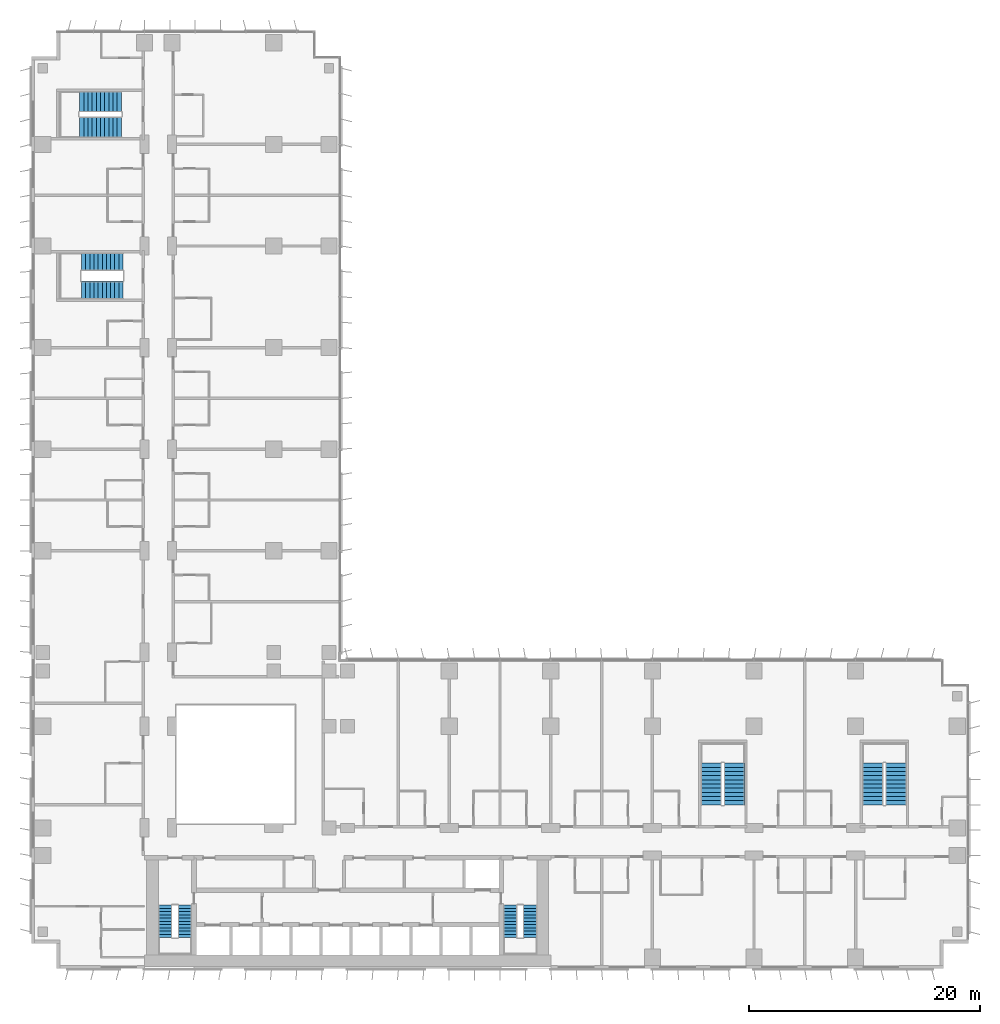
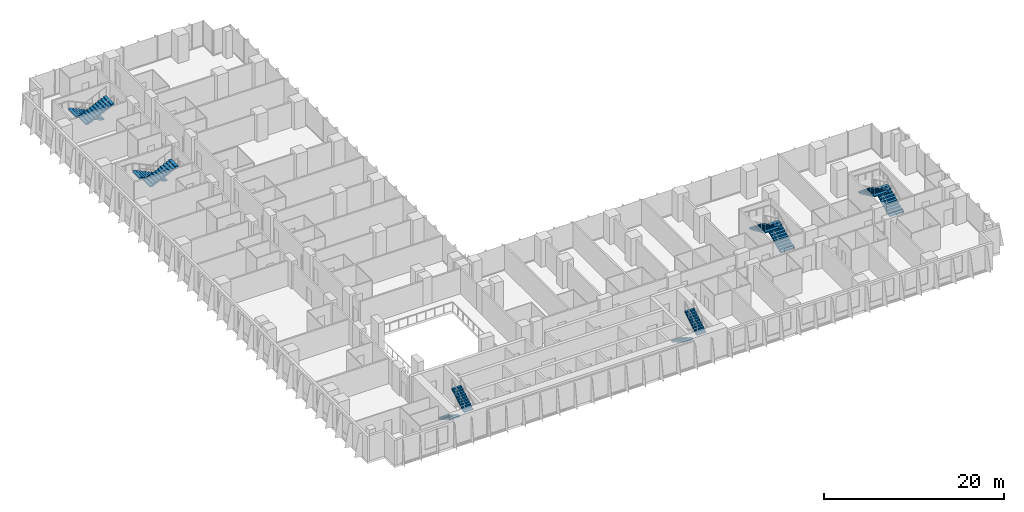
# One storey, part 20 of 24: 12 stair flights, 6 elements without a shape of their own.
"""IFC4 building model written with IfcOpenShell, lengths in metres."""

from ifc_helpers import new_model, si_unit, direction, frame, origin, place, context, subcontext, project, spatial, polyline, outline, extrude, material, type_object, element, aggregate, save


model = new_model("IFC4")

# Units and contexts
model_context = context("Model", 3, precision=1e-05, world=origin(), true_north=direction((0.0, 1.0)))
body_context = subcontext(model_context, "Body", "Model", "MODEL_VIEW")
ifc_project = project(units=[si_unit("LENGTHUNIT", "METRE"), si_unit("AREAUNIT", "SQUARE_METRE"), si_unit("VOLUMEUNIT", "CUBIC_METRE"), si_unit("PLANEANGLEUNIT", "RADIAN"), si_unit("MASSUNIT", "GRAM", prefix="KILO")], contexts=[model_context])

# Site, building, storey
site_placement = place(None, origin())
site = spatial("IfcSite", under=ifc_project, at=site_placement, CompositionType="ELEMENT")
building_placement = place(site_placement, origin())
building = spatial("IfcBuilding", under=site, at=building_placement, Name="Kemantara Hotel Tower", CompositionType="ELEMENT")
storey_placement = place(building_placement, frame((0.0, 0.0, 37.699951171875)))
storey = spatial("IfcBuildingStorey", under=building, at=storey_placement, Name="L07", CompositionType="ELEMENT", Elevation=37.699951171875)

# Stair, stair flights
ifc_material = material(Name="Concrete fc 40 MPa", Category="concrete")
stair_type_1 = type_object("IfcStairType", Name="Stair 1200 wide 22 risers of 168 x 280 mm", PredefinedType="HALF_TURN_STAIR", material=ifc_material)
stair_1_placement = place(storey_placement, origin())
stair_1 = element("IfcStair", 1, at=stair_1_placement, inside=storey, type_object=stair_type_1, Name="L07 Exit stair ST1", PredefinedType="HALF_TURN_STAIR")
stair_flight_type_1 = type_object("IfcStairFlightType", Name="Stair flight 1200 wide 168 x 280 mm", PredefinedType="STRAIGHT", material=ifc_material)
stair_flight_1_placement = place(storey_placement, frame((11.60009765625, 5.5, 0.0), z_axis=(0.0, 0.0, 1.0), x_axis=(0.0, -1.0, 0.0)))
stair_flight_1 = element("IfcStairFlight", 2, at=stair_flight_1_placement, type_object=stair_flight_type_1, Name="ST1 flight 1", NumberOfRisers=11, NumberOfTreads=10, PredefinedType="STRAIGHT", RiserHeight=0.168181818, TreadLength=0.28, context=body_context, shape_type="SweptSolid", body=[
    extrude(outline(polyline([(0.0, 0.0), (0.0, 0.168212890625), (0.280029296875, 0.168212890625), (0.280029296875, 0.33642578125), (0.56005859375, 0.33642578125), (0.56005859375, 0.504638671875), (0.840087890625, 0.504638671875), (0.840087890625, 0.672607421875), (1.1201171875, 0.672607421875), (1.1201171875, 0.8408203125), (1.39990234375, 0.8408203125), (1.39990234375, 1.009033203125), (1.679931640625, 1.009033203125), (1.679931640625, 1.17724609375), (1.9599609375, 1.17724609375), (1.9599609375, 1.345458984375), (2.239990234375, 1.345458984375), (2.239990234375, 1.513671875), (2.52001953125, 1.513671875), (2.52001953125, 1.681884765625), (2.800048828125, 1.681884765625), (2.800048828125, 1.85009765625), (2.800048828125, 1.5068359375), (0.291015625, 0.0), (0.0, 0.0)])), frame((0.0, 0.60009765625, 0.0), z_axis=(0.0, -1.0, 0.0), x_axis=(1.0, 0.0, 0.0)), (0.0, 0.0, 1.0), 1.199951171875),
])
stair_flight_2_placement = place(storey_placement, frame((13.300048828125, 2.699951171875, 1.85009765625), z_axis=(0.0, 0.0, 1.0), x_axis=(0.0, 1.0, 0.0)))
stair_flight_2 = element("IfcStairFlight", 3, at=stair_flight_2_placement, type_object=stair_flight_type_1, Name="ST1 flight 2", NumberOfRisers=11, NumberOfTreads=10, PredefinedType="STRAIGHT", RiserHeight=0.168181818, TreadLength=0.28, context=body_context, shape_type="SweptSolid", body=[
    extrude(outline(polyline([(0.0, 0.0), (0.0, 0.168212890625), (0.280029296875, 0.168212890625), (0.280029296875, 0.33642578125), (0.56005859375, 0.33642578125), (0.56005859375, 0.504638671875), (0.840087890625, 0.504638671875), (0.840087890625, 0.672607421875), (1.1201171875, 0.672607421875), (1.1201171875, 0.8408203125), (1.39990234375, 0.8408203125), (1.39990234375, 1.009033203125), (1.679931640625, 1.009033203125), (1.679931640625, 1.17724609375), (1.9599609375, 1.17724609375), (1.9599609375, 1.345458984375), (2.239990234375, 1.345458984375), (2.239990234375, 1.513671875), (2.52001953125, 1.513671875), (2.52001953125, 1.681884765625), (2.800048828125, 1.681884765625), (2.800048828125, 1.85009765625), (2.800048828125, 1.5068359375), (0.291015625, 0.0), (0.0, 0.0)])), frame((0.0, 0.60009765625, 0.0), z_axis=(0.0, -1.0, 0.0), x_axis=(1.0, 0.0, 0.0)), (0.0, 0.0, 1.0), 1.199951171875),
])
aggregate(stair_1, [stair_flight_1, stair_flight_2])

stair_2_placement = place(storey_placement, origin())
stair_2 = element("IfcStair", 4, at=stair_2_placement, inside=storey, type_object=stair_type_1, Name="L07 Exit stair ST2", PredefinedType="HALF_TURN_STAIR")
stair_flight_3_placement = place(storey_placement, frame((41.5, 5.5, 0.0), z_axis=(0.0, 0.0, 1.0), x_axis=(0.0, -1.0, 0.0)))
stair_flight_3 = element("IfcStairFlight", 5, at=stair_flight_3_placement, type_object=stair_flight_type_1, Name="ST2 flight 1", NumberOfRisers=11, NumberOfTreads=10, PredefinedType="STRAIGHT", RiserHeight=0.168181818, TreadLength=0.28, context=body_context, shape_type="SweptSolid", body=[
    extrude(outline(polyline([(0.0, 0.0), (0.0, 0.168212890625), (0.280029296875, 0.168212890625), (0.280029296875, 0.33642578125), (0.56005859375, 0.33642578125), (0.56005859375, 0.504638671875), (0.840087890625, 0.504638671875), (0.840087890625, 0.672607421875), (1.1201171875, 0.672607421875), (1.1201171875, 0.8408203125), (1.39990234375, 0.8408203125), (1.39990234375, 1.009033203125), (1.679931640625, 1.009033203125), (1.679931640625, 1.17724609375), (1.9599609375, 1.17724609375), (1.9599609375, 1.345458984375), (2.239990234375, 1.345458984375), (2.239990234375, 1.513671875), (2.52001953125, 1.513671875), (2.52001953125, 1.681884765625), (2.800048828125, 1.681884765625), (2.800048828125, 1.85009765625), (2.800048828125, 1.5068359375), (0.291015625, 0.0), (0.0, 0.0)])), frame((0.0, 0.60009765625, 0.0), z_axis=(0.0, -1.0, 0.0), x_axis=(1.0, 0.0, 0.0)), (0.0, 0.0, 1.0), 1.199951171875),
])
stair_flight_4_placement = place(storey_placement, frame((43.199951171875, 2.699951171875, 1.85009765625), z_axis=(0.0, 0.0, 1.0), x_axis=(0.0, 1.0, 0.0)))
stair_flight_4 = element("IfcStairFlight", 6, at=stair_flight_4_placement, type_object=stair_flight_type_1, Name="ST2 flight 2", NumberOfRisers=11, NumberOfTreads=10, PredefinedType="STRAIGHT", RiserHeight=0.168181818, TreadLength=0.28, context=body_context, shape_type="SweptSolid", body=[
    extrude(outline(polyline([(0.0, 0.0), (0.0, 0.168212890625), (0.280029296875, 0.168212890625), (0.280029296875, 0.33642578125), (0.56005859375, 0.33642578125), (0.56005859375, 0.504638671875), (0.840087890625, 0.504638671875), (0.840087890625, 0.672607421875), (1.1201171875, 0.672607421875), (1.1201171875, 0.8408203125), (1.39990234375, 0.8408203125), (1.39990234375, 1.009033203125), (1.679931640625, 1.009033203125), (1.679931640625, 1.17724609375), (1.9599609375, 1.17724609375), (1.9599609375, 1.345458984375), (2.239990234375, 1.345458984375), (2.239990234375, 1.513671875), (2.52001953125, 1.513671875), (2.52001953125, 1.681884765625), (2.800048828125, 1.681884765625), (2.800048828125, 1.85009765625), (2.800048828125, 1.5068359375), (0.291015625, 0.0), (0.0, 0.0)])), frame((0.0, 0.60009765625, 0.0), z_axis=(0.0, -1.0, 0.0), x_axis=(1.0, 0.0, 0.0)), (0.0, 0.0, 1.0), 1.199951171875),
])
aggregate(stair_2, [stair_flight_3, stair_flight_4])

stair_type_2 = type_object("IfcStairType", Name="Stair 1550 wide 22 risers of 168 x 360 mm", PredefinedType="HALF_TURN_STAIR", material=ifc_material)
stair_3_placement = place(storey_placement, origin())
stair_3 = element("IfcStair", 7, at=stair_3_placement, inside=storey, type_object=stair_type_2, Name="L07 Exit stair ST4", PredefinedType="HALF_TURN_STAIR")
stair_flight_type_2 = type_object("IfcStairFlightType", Name="Stair flight 1550 wide 168 x 360 mm", PredefinedType="STRAIGHT", material=ifc_material)
stair_flight_5_placement = place(storey_placement, frame((7.949951171875, 61.22509765625, 0.0), z_axis=(0.0, 0.0, 1.0), x_axis=(-1.0, 0.0, 0.0)))
stair_flight_5 = element("IfcStairFlight", 8, at=stair_flight_5_placement, type_object=stair_flight_type_2, Name="ST4 flight 1", NumberOfRisers=11, NumberOfTreads=10, PredefinedType="STRAIGHT", RiserHeight=0.168181818, TreadLength=0.36, context=body_context, shape_type="SweptSolid", body=[
    extrude(outline(polyline([(0.0, 0.0), (0.0, 0.168212890625), (0.360107421875, 0.168212890625), (0.360107421875, 0.33642578125), (0.719970703125, 0.33642578125), (0.719970703125, 0.504638671875), (1.080078125, 0.504638671875), (1.080078125, 0.672607421875), (1.43994140625, 0.672607421875), (1.43994140625, 0.8408203125), (1.800048828125, 0.8408203125), (1.800048828125, 1.009033203125), (2.159912109375, 1.009033203125), (2.159912109375, 1.17724609375), (2.52001953125, 1.17724609375), (2.52001953125, 1.345458984375), (2.8798828125, 1.345458984375), (2.8798828125, 1.513671875), (3.239990234375, 1.513671875), (3.239990234375, 1.681884765625), (3.60009765625, 1.681884765625), (3.60009765625, 1.85009765625), (3.60009765625, 1.516357421875), (0.354248046875, 0.0), (0.0, 0.0)])), frame((0.0, 0.77490234375, 0.0), z_axis=(0.0, -1.0, 0.0), x_axis=(1.0, 0.0, 0.0)), (0.0, 0.0, 1.0), 1.550048828125),
])
stair_flight_6_placement = place(storey_placement, frame((4.35009765625, 58.77490234375, 1.85009765625), z_axis=(0.0, 0.0, 1.0), x_axis=(1.0, 0.0, 0.0)))
stair_flight_6 = element("IfcStairFlight", 9, at=stair_flight_6_placement, type_object=stair_flight_type_2, Name="ST4 flight 2", NumberOfRisers=11, NumberOfTreads=10, PredefinedType="STRAIGHT", RiserHeight=0.168181818, TreadLength=0.36, context=body_context, shape_type="SweptSolid", body=[
    extrude(outline(polyline([(0.0, 0.0), (0.0, 0.168212890625), (0.360107421875, 0.168212890625), (0.360107421875, 0.33642578125), (0.719970703125, 0.33642578125), (0.719970703125, 0.504638671875), (1.080078125, 0.504638671875), (1.080078125, 0.672607421875), (1.43994140625, 0.672607421875), (1.43994140625, 0.8408203125), (1.800048828125, 0.8408203125), (1.800048828125, 1.009033203125), (2.159912109375, 1.009033203125), (2.159912109375, 1.17724609375), (2.52001953125, 1.17724609375), (2.52001953125, 1.345458984375), (2.8798828125, 1.345458984375), (2.8798828125, 1.513671875), (3.239990234375, 1.513671875), (3.239990234375, 1.681884765625), (3.60009765625, 1.681884765625), (3.60009765625, 1.85009765625), (3.60009765625, 1.516357421875), (0.354248046875, 0.0), (0.0, 0.0)])), frame((0.0, 0.77490234375, 0.0), z_axis=(0.0, -1.0, 0.0), x_axis=(1.0, 0.0, 0.0)), (0.0, 0.0, 1.0), 1.550048828125),
])
aggregate(stair_3, [stair_flight_5, stair_flight_6])

stair_type_3 = type_object("IfcStairType", Name="Stair 1800 wide 22 risers of 168 x 360 mm", PredefinedType="HALF_TURN_STAIR", material=ifc_material)
stair_4_placement = place(storey_placement, origin())
stair_4 = element("IfcStair", 10, at=stair_4_placement, inside=storey, type_object=stair_type_3, Name="L07 Exit stair ST3", PredefinedType="HALF_TURN_STAIR")
stair_flight_type_3 = type_object("IfcStairFlightType", Name="Stair flight 1800 wide 168 x 360 mm", PredefinedType="STRAIGHT", material=ifc_material)
stair_flight_7_placement = place(storey_placement, frame((60.89990234375, 14.199951171875, 0.0), z_axis=(0.0, 0.0, 1.0), x_axis=(0.0, 1.0, 0.0)))
stair_flight_7 = element("IfcStairFlight", 11, at=stair_flight_7_placement, type_object=stair_flight_type_3, Name="ST3 flight 1", NumberOfRisers=11, NumberOfTreads=10, PredefinedType="STRAIGHT", RiserHeight=0.168181818, TreadLength=0.36, context=body_context, shape_type="SweptSolid", body=[
    extrude(outline(polyline([(0.0, 0.0), (0.0, 0.168212890625), (0.360107421875, 0.168212890625), (0.360107421875, 0.33642578125), (0.719970703125, 0.33642578125), (0.719970703125, 0.504638671875), (1.080078125, 0.504638671875), (1.080078125, 0.672607421875), (1.43994140625, 0.672607421875), (1.43994140625, 0.8408203125), (1.800048828125, 0.8408203125), (1.800048828125, 1.009033203125), (2.159912109375, 1.009033203125), (2.159912109375, 1.17724609375), (2.52001953125, 1.17724609375), (2.52001953125, 1.345458984375), (2.8798828125, 1.345458984375), (2.8798828125, 1.513671875), (3.239990234375, 1.513671875), (3.239990234375, 1.681884765625), (3.60009765625, 1.681884765625), (3.60009765625, 1.85009765625), (3.60009765625, 1.516357421875), (0.354248046875, 0.0), (0.0, 0.0)])), frame((0.0, 0.89990234375, 0.0), z_axis=(0.0, -1.0, 0.0), x_axis=(1.0, 0.0, 0.0)), (0.0, 0.0, 1.0), 1.800048828125),
])
stair_flight_8_placement = place(storey_placement, frame((58.89990234375, 17.800048828125, 1.85009765625), z_axis=(0.0, 0.0, 1.0), x_axis=(0.0, -1.0, 0.0)))
stair_flight_8 = element("IfcStairFlight", 12, at=stair_flight_8_placement, type_object=stair_flight_type_3, Name="ST3 flight 2", NumberOfRisers=11, NumberOfTreads=10, PredefinedType="STRAIGHT", RiserHeight=0.168181818, TreadLength=0.36, context=body_context, shape_type="SweptSolid", body=[
    extrude(outline(polyline([(0.0, 0.0), (0.0, 0.168212890625), (0.360107421875, 0.168212890625), (0.360107421875, 0.33642578125), (0.719970703125, 0.33642578125), (0.719970703125, 0.504638671875), (1.080078125, 0.504638671875), (1.080078125, 0.672607421875), (1.43994140625, 0.672607421875), (1.43994140625, 0.8408203125), (1.800048828125, 0.8408203125), (1.800048828125, 1.009033203125), (2.159912109375, 1.009033203125), (2.159912109375, 1.17724609375), (2.52001953125, 1.17724609375), (2.52001953125, 1.345458984375), (2.8798828125, 1.345458984375), (2.8798828125, 1.513671875), (3.239990234375, 1.513671875), (3.239990234375, 1.681884765625), (3.60009765625, 1.681884765625), (3.60009765625, 1.85009765625), (3.60009765625, 1.516357421875), (0.354248046875, 0.0), (0.0, 0.0)])), frame((0.0, 0.89990234375, 0.0), z_axis=(0.0, -1.0, 0.0), x_axis=(1.0, 0.0, 0.0)), (0.0, 0.0, 1.0), 1.800048828125),
])
aggregate(stair_4, [stair_flight_7, stair_flight_8])

stair_5_placement = place(storey_placement, origin())
stair_5 = element("IfcStair", 13, at=stair_5_placement, inside=storey, type_object=stair_type_3, Name="L07 Exit stair ST5", PredefinedType="HALF_TURN_STAIR")
stair_flight_9_placement = place(storey_placement, frame((74.89990234375, 14.199951171875, 0.0), z_axis=(0.0, 0.0, 1.0), x_axis=(0.0, 1.0, 0.0)))
stair_flight_9 = element("IfcStairFlight", 14, at=stair_flight_9_placement, type_object=stair_flight_type_3, Name="ST5 flight 1", NumberOfRisers=11, NumberOfTreads=10, PredefinedType="STRAIGHT", RiserHeight=0.168181818, TreadLength=0.36, context=body_context, shape_type="SweptSolid", body=[
    extrude(outline(polyline([(0.0, 0.0), (0.0, 0.168212890625), (0.360107421875, 0.168212890625), (0.360107421875, 0.33642578125), (0.719970703125, 0.33642578125), (0.719970703125, 0.504638671875), (1.080078125, 0.504638671875), (1.080078125, 0.672607421875), (1.43994140625, 0.672607421875), (1.43994140625, 0.8408203125), (1.800048828125, 0.8408203125), (1.800048828125, 1.009033203125), (2.159912109375, 1.009033203125), (2.159912109375, 1.17724609375), (2.52001953125, 1.17724609375), (2.52001953125, 1.345458984375), (2.8798828125, 1.345458984375), (2.8798828125, 1.513671875), (3.239990234375, 1.513671875), (3.239990234375, 1.681884765625), (3.60009765625, 1.681884765625), (3.60009765625, 1.85009765625), (3.60009765625, 1.516357421875), (0.354248046875, 0.0), (0.0, 0.0)])), frame((0.0, 0.89990234375, 0.0), z_axis=(0.0, -1.0, 0.0), x_axis=(1.0, 0.0, 0.0)), (0.0, 0.0, 1.0), 1.800048828125),
])
stair_flight_10_placement = place(storey_placement, frame((72.89990234375, 17.800048828125, 1.85009765625), z_axis=(0.0, 0.0, 1.0), x_axis=(0.0, -1.0, 0.0)))
stair_flight_10 = element("IfcStairFlight", 15, at=stair_flight_10_placement, type_object=stair_flight_type_3, Name="ST5 flight 2", NumberOfRisers=11, NumberOfTreads=10, PredefinedType="STRAIGHT", RiserHeight=0.168181818, TreadLength=0.36, context=body_context, shape_type="SweptSolid", body=[
    extrude(outline(polyline([(0.0, 0.0), (0.0, 0.168212890625), (0.360107421875, 0.168212890625), (0.360107421875, 0.33642578125), (0.719970703125, 0.33642578125), (0.719970703125, 0.504638671875), (1.080078125, 0.504638671875), (1.080078125, 0.672607421875), (1.43994140625, 0.672607421875), (1.43994140625, 0.8408203125), (1.800048828125, 0.8408203125), (1.800048828125, 1.009033203125), (2.159912109375, 1.009033203125), (2.159912109375, 1.17724609375), (2.52001953125, 1.17724609375), (2.52001953125, 1.345458984375), (2.8798828125, 1.345458984375), (2.8798828125, 1.513671875), (3.239990234375, 1.513671875), (3.239990234375, 1.681884765625), (3.60009765625, 1.681884765625), (3.60009765625, 1.85009765625), (3.60009765625, 1.516357421875), (0.354248046875, 0.0), (0.0, 0.0)])), frame((0.0, 0.89990234375, 0.0), z_axis=(0.0, -1.0, 0.0), x_axis=(1.0, 0.0, 0.0)), (0.0, 0.0, 1.0), 1.800048828125),
])
aggregate(stair_5, [stair_flight_9, stair_flight_10])

stair_6_placement = place(storey_placement, origin())
stair_6 = element("IfcStair", 16, at=stair_6_placement, inside=storey, type_object=stair_type_3, Name="L07 Exit stair ST6", PredefinedType="HALF_TURN_STAIR")
stair_flight_11_placement = place(storey_placement, frame((7.800048828125, 75.10009765625, 0.0), z_axis=(0.0, 0.0, 1.0), x_axis=(-1.0, 0.0, 0.0)))
stair_flight_11 = element("IfcStairFlight", 17, at=stair_flight_11_placement, type_object=stair_flight_type_3, Name="ST6 flight 1", NumberOfRisers=11, NumberOfTreads=10, PredefinedType="STRAIGHT", RiserHeight=0.168181818, TreadLength=0.36, context=body_context, shape_type="SweptSolid", body=[
    extrude(outline(polyline([(0.0, 0.0), (0.0, 0.168212890625), (0.360107421875, 0.168212890625), (0.360107421875, 0.33642578125), (0.719970703125, 0.33642578125), (0.719970703125, 0.504638671875), (1.080078125, 0.504638671875), (1.080078125, 0.672607421875), (1.43994140625, 0.672607421875), (1.43994140625, 0.8408203125), (1.800048828125, 0.8408203125), (1.800048828125, 1.009033203125), (2.159912109375, 1.009033203125), (2.159912109375, 1.17724609375), (2.52001953125, 1.17724609375), (2.52001953125, 1.345458984375), (2.8798828125, 1.345458984375), (2.8798828125, 1.513671875), (3.239990234375, 1.513671875), (3.239990234375, 1.681884765625), (3.60009765625, 1.681884765625), (3.60009765625, 1.85009765625), (3.60009765625, 1.516357421875), (0.354248046875, 0.0), (0.0, 0.0)])), frame((0.0, 0.89990234375, 0.0), z_axis=(0.0, -1.0, 0.0), x_axis=(1.0, 0.0, 0.0)), (0.0, 0.0, 1.0), 1.800048828125),
])
stair_flight_12_placement = place(storey_placement, frame((4.199951171875, 72.89990234375, 1.85009765625), z_axis=(0.0, 0.0, 1.0), x_axis=(1.0, 0.0, 0.0)))
stair_flight_12 = element("IfcStairFlight", 18, at=stair_flight_12_placement, type_object=stair_flight_type_3, Name="ST6 flight 2", NumberOfRisers=11, NumberOfTreads=10, PredefinedType="STRAIGHT", RiserHeight=0.168181818, TreadLength=0.36, context=body_context, shape_type="SweptSolid", body=[
    extrude(outline(polyline([(0.0, 0.0), (0.0, 0.168212890625), (0.360107421875, 0.168212890625), (0.360107421875, 0.33642578125), (0.719970703125, 0.33642578125), (0.719970703125, 0.504638671875), (1.080078125, 0.504638671875), (1.080078125, 0.672607421875), (1.43994140625, 0.672607421875), (1.43994140625, 0.8408203125), (1.800048828125, 0.8408203125), (1.800048828125, 1.009033203125), (2.159912109375, 1.009033203125), (2.159912109375, 1.17724609375), (2.52001953125, 1.17724609375), (2.52001953125, 1.345458984375), (2.8798828125, 1.345458984375), (2.8798828125, 1.513671875), (3.239990234375, 1.513671875), (3.239990234375, 1.681884765625), (3.60009765625, 1.681884765625), (3.60009765625, 1.85009765625), (3.60009765625, 1.516357421875), (0.354248046875, 0.0), (0.0, 0.0)])), frame((0.0, 0.89990234375, 0.0), z_axis=(0.0, -1.0, 0.0), x_axis=(1.0, 0.0, 0.0)), (0.0, 0.0, 1.0), 1.800048828125),
])
aggregate(stair_6, [stair_flight_11, stair_flight_12])

save(model, "model.ifc")
